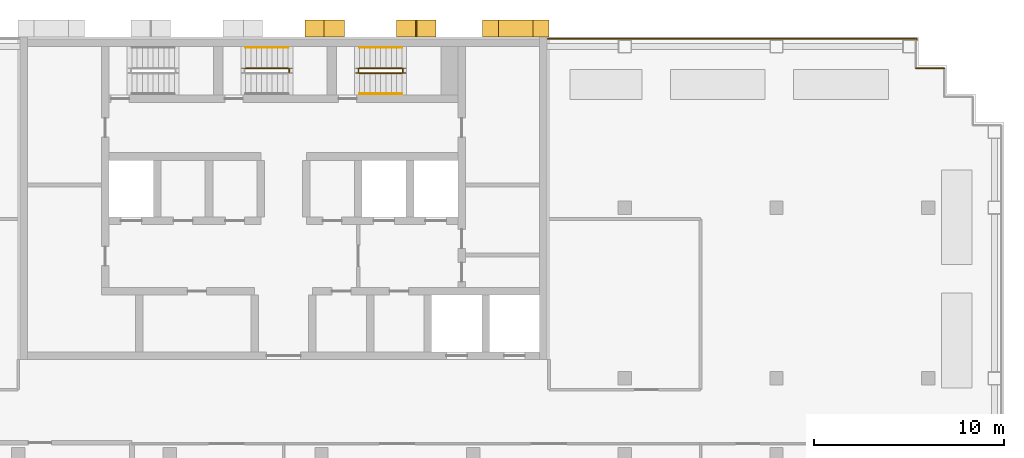
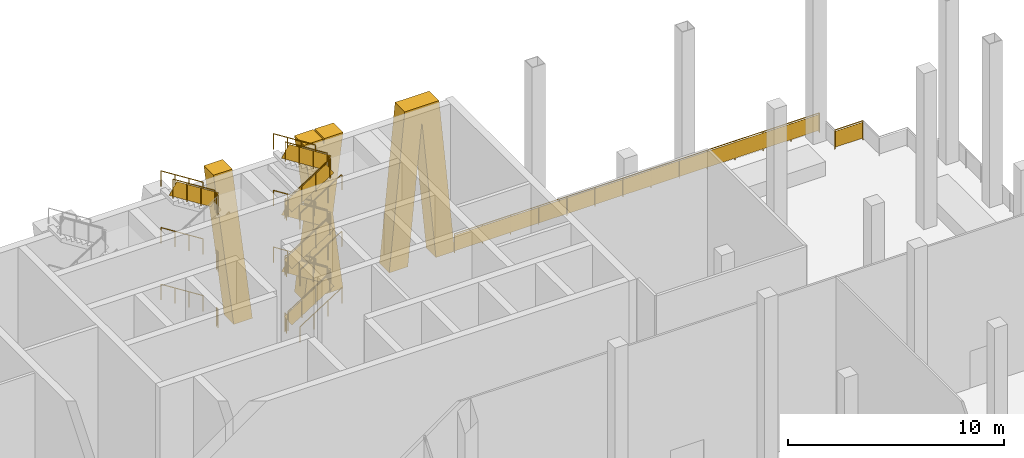
# One storey, part 8 of 9: 28 railings, 3 shading devices.
"""IFC4 building model written with IfcOpenShell, lengths in metres."""

from ifc_helpers import new_model, si_unit, direction, frame, origin, origin_2d, place, context, subcontext, project, spatial, polyline, rectangle, circle, outline, extrude, material, layer, layer_set, type_object, element, save


model = new_model("IFC4")

# Units and contexts
model_context = context("Model", 3, precision=1e-05, world=origin(), true_north=direction((0.0, 1.0)))
body_context = subcontext(model_context, "Body", "Model", "MODEL_VIEW")
ifc_project = project(units=[si_unit("LENGTHUNIT", "METRE"), si_unit("AREAUNIT", "SQUARE_METRE"), si_unit("VOLUMEUNIT", "CUBIC_METRE"), si_unit("PLANEANGLEUNIT", "RADIAN"), si_unit("MASSUNIT", "GRAM", prefix="KILO")], contexts=[model_context])

# Site, building, storey
site_placement = place(None, origin())
site = spatial("IfcSite", under=ifc_project, at=site_placement, CompositionType="ELEMENT")
building_placement = place(site_placement, origin())
building = spatial("IfcBuilding", under=site, at=building_placement, Name="Vidyagriha Tower", CompositionType="ELEMENT")
storey_placement = place(building_placement, frame((0.0, 0.0, 194.10009765625)))
storey = spatial("IfcBuildingStorey", under=building, at=storey_placement, Name="L51", CompositionType="ELEMENT", Elevation=194.10009765625)

# Shading devices
ifc_material_1 = material(Name="Precast concrete C40/50 with brick facing", Category="concrete")
ifc_layer_1 = layer(ifc_material_1, 1.0)
ifc_layer_set_1 = layer_set([ifc_layer_1], Name="Precast concrete C40/50 with brick facing")
shading_device_type_1 = type_object("IfcShadingDeviceType", Name="Brick-faced rear rib arm leaning 8 degrees", PredefinedType="USERDEFINED", material=ifc_layer_set_1)
shading_device_1_placement = place(storey_placement, frame((3.199951171875, 20.449951171875, 0.0), z_axis=(0.0, 0.0, 1.0), x_axis=(-1.0, 0.0, 0.0)))
element("IfcShadingDevice", 1, at=shading_device_1_placement, inside=storey, type_object=shading_device_type_1, Name="Rear rib arm L51 R08.3a", ObjectType="BLADE FIN", PredefinedType="USERDEFINED", context=body_context, shape_type="SweptSolid", body=[
    extrude(outline(polyline([(0.0, 0.0), (1.0, 0.0), (2.080078125, 8.7998046875), (1.080078125, 8.7998046875), (0.0, 0.0)])), frame((0.0, 0.449951171875, 0.0), z_axis=(0.0, -1.0, 0.0), x_axis=(1.0, 0.0, 0.0)), (0.0, 0.0, 1.0), 0.89990234375),
])
ifc_material_2 = material(Name="Precast concrete C40/50 with brick facing", Category="concrete")
ifc_layer_2 = layer(ifc_material_2, 1.0)
ifc_layer_set_2 = layer_set([ifc_layer_2], Name="Precast concrete C40/50 with brick facing")
shading_device_type_2 = type_object("IfcShadingDeviceType", Name="Brick-faced rear rib forking 8 degrees", PredefinedType="USERDEFINED", material=ifc_layer_set_2)
shading_device_2_placement = place(storey_placement, frame((14.0, 20.449951171875, 0.0), z_axis=(0.0, 0.0, 1.0), x_axis=(-1.0, 0.0, 0.0)))
element("IfcShadingDevice", 2, at=shading_device_2_placement, inside=storey, type_object=shading_device_type_2, Name="Rear rib fork L51 R08.1a", ObjectType="BLADE FIN", PredefinedType="USERDEFINED", context=body_context, shape_type="SweptSolid", body=[
    extrude(outline(polyline([(1.0, 0.0), (1.75, 7.919921875), (2.5, 0.0), (3.5, 0.0), (2.666748046875, 8.7998046875), (0.833251953125, 8.7998046875), (0.0, 0.0), (1.0, 0.0)])), frame((0.0, 0.449951171875, 0.0), z_axis=(0.0, -1.0, 0.0), x_axis=(1.0, 0.0, 0.0)), (0.0, 0.0, 1.0), 0.89990234375),
])
shading_device_3_placement = place(storey_placement, frame((8.0400390625, 20.449951171875, 0.0), z_axis=(0.0, 0.0, 1.0), x_axis=(-1.0, 0.0, 0.0)))
element("IfcShadingDevice", 3, at=shading_device_3_placement, inside=storey, type_object=shading_device_type_2, Name="Rear rib fork L51 R08.2a", ObjectType="BLADE FIN", PredefinedType="USERDEFINED", context=body_context, shape_type="SweptSolid", body=[
    extrude(outline(polyline([(1.0, 0.0), (1.0400390625, 0.32568359375), (1.080078125, 0.0), (2.080078125, 0.0), (1.5400390625, 4.39990234375), (2.080078125, 8.7998046875), (1.080078125, 8.7998046875), (1.0400390625, 8.47412109375), (1.0, 8.7998046875), (0.0, 8.7998046875), (0.5400390625, 4.39990234375), (0.0, 0.0), (1.0, 0.0)])), frame((0.0, 0.449951171875, 0.0), z_axis=(0.0, -1.0, 0.0), x_axis=(1.0, 0.0, 0.0)), (0.0, 0.0, 1.0), 0.89990234375),
])

# Railings
ifc_material_3 = material(Name="Steel ASTM A500 Grade C black painted", Category="steel")
railing_type_1 = type_object("IfcRailingType", Name="Gallery guard 1100", PredefinedType="GUARDRAIL", material=ifc_material_3)
railing_1_placement = place(storey_placement, frame((13.929931640625, 19.89990234375, 0.0)))
element("IfcRailing", 4, at=railing_1_placement, inside=storey, type_object=railing_type_1, Name="Gallery guard L51 2", PredefinedType="GUARDRAIL", context=body_context, shape_type="SweptSolid", body=[
    extrude(circle(Radius=0.02490234375, at=origin_2d()), frame((0.0, 0.0, 1.0751953125), z_axis=(1.0, 0.0, 0.0), x_axis=(0.0, 1.0, 0.0)), (0.0, 0.0, 1.0), 12.0),
    extrude(circle(Radius=0.02001953125, at=origin_2d()), origin(), (0.0, 0.0, 1.0), 1.050048828125),
    extrude(circle(Radius=0.02001953125, at=origin_2d()), frame((1.5, 0.0, 0.0)), (0.0, 0.0, 1.0), 1.050048828125),
    extrude(circle(Radius=0.02001953125, at=origin_2d()), frame((3.0, 0.0, 0.0)), (0.0, 0.0, 1.0), 1.050048828125),
    extrude(circle(Radius=0.02001953125, at=origin_2d()), frame((4.5, 0.0, 0.0)), (0.0, 0.0, 1.0), 1.050048828125),
    extrude(circle(Radius=0.02001953125, at=origin_2d()), frame((6.0, 0.0, 0.0)), (0.0, 0.0, 1.0), 1.050048828125),
    extrude(circle(Radius=0.02001953125, at=origin_2d()), frame((7.5, 0.0, 0.0)), (0.0, 0.0, 1.0), 1.050048828125),
    extrude(circle(Radius=0.02001953125, at=origin_2d()), frame((9.0, 0.0, 0.0)), (0.0, 0.0, 1.0), 1.050048828125),
    extrude(circle(Radius=0.02001953125, at=origin_2d()), frame((10.5, 0.0, 0.0)), (0.0, 0.0, 1.0), 1.050048828125),
    extrude(circle(Radius=0.02001953125, at=origin_2d()), frame((12.0, 0.0, 0.0)), (0.0, 0.0, 1.0), 1.050048828125),
    extrude(rectangle(XDim=0.010009765625, YDim=0.900146484375, at=origin_2d()), frame((0.0, 0.0, 0.550048828125), z_axis=(1.0, 0.0, 0.0), x_axis=(0.0, 1.0, 0.0)), (0.0, 0.0, 1.0), 12.0),
])
railing_2_placement = place(storey_placement, frame((25.929931640625, 19.89990234375, 0.0)))
element("IfcRailing", 5, at=railing_2_placement, inside=storey, type_object=railing_type_1, Name="Gallery guard L51 3", PredefinedType="GUARDRAIL", context=body_context, shape_type="SweptSolid", body=[
    extrude(circle(Radius=0.02490234375, at=origin_2d()), frame((0.0, 0.0, 1.0751953125), z_axis=(1.0, 0.0, 0.0), x_axis=(0.0, 1.0, 0.0)), (0.0, 0.0, 1.0), 7.469970703125),
    extrude(circle(Radius=0.02490234375, at=origin_2d()), frame((7.469970703125, 0.0, 1.0751953125), z_axis=(0.0, -1.0, 0.0), x_axis=(1.0, 0.0, 0.0)), (0.0, 0.0, 1.0), 0.0498046875),
    extrude(circle(Radius=0.02001953125, at=origin_2d()), origin(), (0.0, 0.0, 1.0), 1.050048828125),
    extrude(circle(Radius=0.02001953125, at=origin_2d()), frame((1.493896484375, 0.0, 0.0)), (0.0, 0.0, 1.0), 1.050048828125),
    extrude(circle(Radius=0.02001953125, at=origin_2d()), frame((2.988037109375, 0.0, 0.0)), (0.0, 0.0, 1.0), 1.050048828125),
    extrude(circle(Radius=0.02001953125, at=origin_2d()), frame((4.48193359375, 0.0, 0.0)), (0.0, 0.0, 1.0), 1.050048828125),
    extrude(circle(Radius=0.02001953125, at=origin_2d()), frame((5.97607421875, 0.0, 0.0)), (0.0, 0.0, 1.0), 1.050048828125),
    extrude(circle(Radius=0.02001953125, at=origin_2d()), frame((7.469970703125, 0.0, 0.0)), (0.0, 0.0, 1.0), 1.050048828125),
    extrude(circle(Radius=0.02001953125, at=origin_2d()), frame((7.469970703125, -0.0498046875, 0.0)), (0.0, 0.0, 1.0), 1.050048828125),
    extrude(rectangle(XDim=0.010009765625, YDim=0.900146484375, at=origin_2d()), frame((0.0, 0.0, 0.550048828125), z_axis=(1.0, 0.0, 0.0), x_axis=(0.0, 1.0, 0.0)), (0.0, 0.0, 1.0), 7.469970703125),
    extrude(rectangle(XDim=0.010009765625, YDim=0.900146484375, at=origin_2d()), frame((7.469970703125, 0.0, 0.550048828125), z_axis=(0.0, -1.0, 0.0), x_axis=(1.0, 0.0, 0.0)), (0.0, 0.0, 1.0), 0.0498046875),
])
ifc_material_4 = material(Name="Steel ASTM A500 Grade C", Category="steel")
railing_type_2 = type_object("IfcRailingType", Name="Stair guard 1100 mm, steel balustrade", PredefinedType="GUARDRAIL", material=ifc_material_4)
for number, where, name in (
    (6, (0.2900390625, 18.14990234375, 1.599853515625), "L51 ST2 stair guard 2"),
    (7, (0.2900390625, 18.14990234375, 4.7998046875), "L51 ST2 stair guard 6"),
    (8, (0.2900390625, 18.14990234375, 8.0), "L51 ST2 stair guard 10"),
):
    element("IfcRailing", number, at=place(storey_placement, frame(where)), inside=storey, type_object=railing_type_2, Name=name, PredefinedType="GUARDRAIL", context=body_context, shape_type="SweptSolid", body=[
        extrude(circle(Radius=0.02392578125, at=origin_2d()), frame((0.0, 0.0, 1.076171875), z_axis=(0.0, 1.0, 0.0), x_axis=(-1.0, 0.0, 0.0)), (0.0, 0.0, 1.0), 0.150146484375),
        extrude(circle(Radius=0.02099609375, at=origin_2d()), origin(), (0.0, 0.0, 1.0), 1.052001953125),
        extrude(circle(Radius=0.02099609375, at=origin_2d()), frame((0.0, 0.150146484375, 0.0)), (0.0, 0.0, 1.0), 1.052001953125),
        extrude(rectangle(XDim=0.010009765625, YDim=0.902099609375, at=origin_2d()), frame((0.0, 0.0, 0.551025390625), z_axis=(0.0, 1.0, 0.0), x_axis=(-1.0, 0.0, 0.0)), (0.0, 0.0, 1.0), 0.150146484375),
    ])
railing_3_placement = place(storey_placement, frame((0.239990234375, 18.35009765625, 8.177734375)))
element("IfcRailing", 9, at=railing_3_placement, inside=storey, type_object=railing_type_2, Name="L51 ST2 stair guard 11", PredefinedType="GUARDRAIL", context=body_context, shape_type="SweptSolid", body=[
    extrude(circle(Radius=0.02392578125, at=origin_2d()), frame((0.0, 0.0, 1.076171875), z_axis=(-0.8442293374, 0.0, 0.53598211339), x_axis=(0.0, -1.0, 0.0)), (0.0, 0.0, 1.0), 2.6533203125),
    extrude(circle(Radius=0.02099609375, at=origin_2d()), origin(), (0.0, 0.0, 1.0), 1.052001953125),
    extrude(circle(Radius=0.02099609375, at=origin_2d()), frame((-0.74658203125, 0.0, 0.47412109375)), (0.0, 0.0, 1.0), 1.052001953125),
    extrude(circle(Radius=0.02099609375, at=origin_2d()), frame((-1.493408203125, 0.0, 0.947998046875)), (0.0, 0.0, 1.0), 1.052001953125),
    extrude(circle(Radius=0.02099609375, at=origin_2d()), frame((-2.239990234375, 0.0, 1.422119140625)), (0.0, 0.0, 1.0), 1.052001953125),
    extrude(rectangle(XDim=0.010009765625, YDim=0.761474609375, at=origin_2d()), frame((0.0, 0.0, 0.551025390625), z_axis=(-0.8442293374, 0.0, 0.53598211339), x_axis=(0.0, -1.0, 0.0)), (0.0, 0.0, 1.0), 2.6533203125),
])
railing_4_placement = place(storey_placement, frame((4.0, 18.10009765625, 0.177734375)))
element("IfcRailing", 10, at=railing_4_placement, inside=storey, type_object=railing_type_2, Name="L51 ST3 stair guard 1", PredefinedType="GUARDRAIL", context=body_context, shape_type="SweptSolid", body=[
    extrude(circle(Radius=0.02392578125, at=origin_2d()), frame((0.0, 0.0, 1.076171875), z_axis=(0.8442293374, 0.0, 0.53598211339), x_axis=(0.0, 1.0, 0.0)), (0.0, 0.0, 1.0), 2.6533203125),
    extrude(circle(Radius=0.02099609375, at=origin_2d()), origin(), (0.0, 0.0, 1.0), 1.052001953125),
    extrude(circle(Radius=0.02099609375, at=origin_2d()), frame((0.74658203125, 0.0, 0.47412109375)), (0.0, 0.0, 1.0), 1.052001953125),
    extrude(circle(Radius=0.02099609375, at=origin_2d()), frame((1.493408203125, 0.0, 0.947998046875)), (0.0, 0.0, 1.0), 1.052001953125),
    extrude(circle(Radius=0.02099609375, at=origin_2d()), frame((2.239990234375, 0.0, 1.422119140625)), (0.0, 0.0, 1.0), 1.052001953125),
    extrude(rectangle(XDim=0.010009765625, YDim=0.761474609375, at=origin_2d()), frame((0.0, 0.0, 0.551025390625), z_axis=(0.8442293374, 0.0, 0.53598211339), x_axis=(0.0, 1.0, 0.0)), (0.0, 0.0, 1.0), 2.6533203125),
])
railing_5_placement = place(storey_placement, frame((6.2900390625, 18.14990234375, 1.599853515625)))
element("IfcRailing", 11, at=railing_5_placement, inside=storey, type_object=railing_type_2, Name="L51 ST3 stair guard 2", PredefinedType="GUARDRAIL", context=body_context, shape_type="SweptSolid", body=[
    extrude(circle(Radius=0.02392578125, at=origin_2d()), frame((0.0, 0.0, 1.076171875), z_axis=(0.0, 1.0, 0.0), x_axis=(-1.0, 0.0, 0.0)), (0.0, 0.0, 1.0), 0.150146484375),
    extrude(circle(Radius=0.02099609375, at=origin_2d()), origin(), (0.0, 0.0, 1.0), 1.052001953125),
    extrude(circle(Radius=0.02099609375, at=origin_2d()), frame((0.0, 0.150146484375, 0.0)), (0.0, 0.0, 1.0), 1.052001953125),
    extrude(rectangle(XDim=0.010009765625, YDim=0.902099609375, at=origin_2d()), frame((0.0, 0.0, 0.551025390625), z_axis=(0.0, 1.0, 0.0), x_axis=(-1.0, 0.0, 0.0)), (0.0, 0.0, 1.0), 0.150146484375),
])
railing_6_placement = place(storey_placement, frame((6.239990234375, 18.35009765625, 1.777587890625)))
element("IfcRailing", 12, at=railing_6_placement, inside=storey, type_object=railing_type_2, Name="L51 ST3 stair guard 3", PredefinedType="GUARDRAIL", context=body_context, shape_type="SweptSolid", body=[
    extrude(circle(Radius=0.02392578125, at=origin_2d()), frame((0.0, 0.0, 1.076171875), z_axis=(-0.84418770128, 0.0, 0.536047689118), x_axis=(0.0, -1.0, 0.0)), (0.0, 0.0, 1.0), 2.6533203125),
    extrude(circle(Radius=0.02099609375, at=origin_2d()), origin(), (0.0, 0.0, 1.0), 1.052001953125),
    extrude(circle(Radius=0.02099609375, at=origin_2d()), frame((-0.74658203125, 0.0, 0.47412109375)), (0.0, 0.0, 1.0), 1.052001953125),
    extrude(circle(Radius=0.02099609375, at=origin_2d()), frame((-1.493408203125, 0.0, 0.9482421875)), (0.0, 0.0, 1.0), 1.052001953125),
    extrude(circle(Radius=0.02099609375, at=origin_2d()), frame((-2.239990234375, 0.0, 1.42236328125)), (0.0, 0.0, 1.0), 1.052001953125),
    extrude(rectangle(XDim=0.010009765625, YDim=0.761474609375, at=origin_2d()), frame((0.0, 0.0, 0.551025390625), z_axis=(-0.84418770128, 0.0, 0.536047689118), x_axis=(0.0, -1.0, 0.0)), (0.0, 0.0, 1.0), 2.6533203125),
])
railing_7_placement = place(storey_placement, frame((3.949951171875, 18.14990234375, 3.199951171875)))
element("IfcRailing", 13, at=railing_7_placement, inside=storey, type_object=railing_type_2, Name="L51 ST3 stair guard 4", PredefinedType="GUARDRAIL", context=body_context, shape_type="SweptSolid", body=[
    extrude(circle(Radius=0.02392578125, at=origin_2d()), frame((0.0, 0.0, 1.076171875), z_axis=(0.0, 1.0, 0.0), x_axis=(-1.0, 0.0, 0.0)), (0.0, 0.0, 1.0), 0.150146484375),
    extrude(circle(Radius=0.02099609375, at=origin_2d()), origin(), (0.0, 0.0, 1.0), 1.052001953125),
    extrude(circle(Radius=0.02099609375, at=origin_2d()), frame((0.0, 0.150146484375, 0.0)), (0.0, 0.0, 1.0), 1.052001953125),
    extrude(rectangle(XDim=0.010009765625, YDim=0.902099609375, at=origin_2d()), frame((0.0, 0.0, 0.551025390625), z_axis=(0.0, 1.0, 0.0), x_axis=(-1.0, 0.0, 0.0)), (0.0, 0.0, 1.0), 0.150146484375),
])
railing_8_placement = place(storey_placement, frame((4.0, 18.10009765625, 3.377685546875)))
element("IfcRailing", 14, at=railing_8_placement, inside=storey, type_object=railing_type_2, Name="L51 ST3 stair guard 5", PredefinedType="GUARDRAIL", context=body_context, shape_type="SweptSolid", body=[
    extrude(circle(Radius=0.02392578125, at=origin_2d()), frame((0.0, 0.0, 1.076171875), z_axis=(0.8442293374, 0.0, 0.53598211339), x_axis=(0.0, 1.0, 0.0)), (0.0, 0.0, 1.0), 2.6533203125),
    extrude(circle(Radius=0.02099609375, at=origin_2d()), origin(), (0.0, 0.0, 1.0), 1.052001953125),
    extrude(circle(Radius=0.02099609375, at=origin_2d()), frame((0.74658203125, 0.0, 0.47412109375)), (0.0, 0.0, 1.0), 1.052001953125),
    extrude(circle(Radius=0.02099609375, at=origin_2d()), frame((1.493408203125, 0.0, 0.947998046875)), (0.0, 0.0, 1.0), 1.052001953125),
    extrude(circle(Radius=0.02099609375, at=origin_2d()), frame((2.239990234375, 0.0, 1.422119140625)), (0.0, 0.0, 1.0), 1.052001953125),
    extrude(rectangle(XDim=0.010009765625, YDim=0.761474609375, at=origin_2d()), frame((0.0, 0.0, 0.551025390625), z_axis=(0.8442293374, 0.0, 0.53598211339), x_axis=(0.0, 1.0, 0.0)), (0.0, 0.0, 1.0), 2.6533203125),
])
railing_9_placement = place(storey_placement, frame((6.2900390625, 18.14990234375, 4.7998046875)))
element("IfcRailing", 15, at=railing_9_placement, inside=storey, type_object=railing_type_2, Name="L51 ST3 stair guard 6", PredefinedType="GUARDRAIL", context=body_context, shape_type="SweptSolid", body=[
    extrude(circle(Radius=0.02392578125, at=origin_2d()), frame((0.0, 0.0, 1.076171875), z_axis=(0.0, 1.0, 0.0), x_axis=(-1.0, 0.0, 0.0)), (0.0, 0.0, 1.0), 0.150146484375),
    extrude(circle(Radius=0.02099609375, at=origin_2d()), origin(), (0.0, 0.0, 1.0), 1.052001953125),
    extrude(circle(Radius=0.02099609375, at=origin_2d()), frame((0.0, 0.150146484375, 0.0)), (0.0, 0.0, 1.0), 1.052001953125),
    extrude(rectangle(XDim=0.010009765625, YDim=0.902099609375, at=origin_2d()), frame((0.0, 0.0, 0.551025390625), z_axis=(0.0, 1.0, 0.0), x_axis=(-1.0, 0.0, 0.0)), (0.0, 0.0, 1.0), 0.150146484375),
])
railing_10_placement = place(storey_placement, frame((6.239990234375, 18.35009765625, 4.977783203125)))
element("IfcRailing", 16, at=railing_10_placement, inside=storey, type_object=railing_type_2, Name="L51 ST3 stair guard 7", PredefinedType="GUARDRAIL", context=body_context, shape_type="SweptSolid", body=[
    extrude(circle(Radius=0.02392578125, at=origin_2d()), frame((0.0, 0.0, 1.076171875), z_axis=(-0.8442293374, 0.0, 0.53598211339), x_axis=(0.0, -1.0, 0.0)), (0.0, 0.0, 1.0), 2.6533203125),
    extrude(circle(Radius=0.02099609375, at=origin_2d()), origin(), (0.0, 0.0, 1.0), 1.052001953125),
    extrude(circle(Radius=0.02099609375, at=origin_2d()), frame((-0.74658203125, 0.0, 0.47412109375)), (0.0, 0.0, 1.0), 1.052001953125),
    extrude(circle(Radius=0.02099609375, at=origin_2d()), frame((-1.493408203125, 0.0, 0.947998046875)), (0.0, 0.0, 1.0), 1.052001953125),
    extrude(circle(Radius=0.02099609375, at=origin_2d()), frame((-2.239990234375, 0.0, 1.422119140625)), (0.0, 0.0, 1.0), 1.052001953125),
    extrude(rectangle(XDim=0.010009765625, YDim=0.761474609375, at=origin_2d()), frame((0.0, 0.0, 0.551025390625), z_axis=(-0.8442293374, 0.0, 0.53598211339), x_axis=(0.0, -1.0, 0.0)), (0.0, 0.0, 1.0), 2.6533203125),
])
railing_11_placement = place(storey_placement, frame((3.949951171875, 18.14990234375, 6.39990234375)))
element("IfcRailing", 17, at=railing_11_placement, inside=storey, type_object=railing_type_2, Name="L51 ST3 stair guard 8", PredefinedType="GUARDRAIL", context=body_context, shape_type="SweptSolid", body=[
    extrude(circle(Radius=0.02392578125, at=origin_2d()), frame((0.0, 0.0, 1.076171875), z_axis=(0.0, 1.0, 0.0), x_axis=(-1.0, 0.0, 0.0)), (0.0, 0.0, 1.0), 0.150146484375),
    extrude(circle(Radius=0.02099609375, at=origin_2d()), origin(), (0.0, 0.0, 1.0), 1.052001953125),
    extrude(circle(Radius=0.02099609375, at=origin_2d()), frame((0.0, 0.150146484375, 0.0)), (0.0, 0.0, 1.0), 1.052001953125),
    extrude(rectangle(XDim=0.010009765625, YDim=0.902099609375, at=origin_2d()), frame((0.0, 0.0, 0.551025390625), z_axis=(0.0, 1.0, 0.0), x_axis=(-1.0, 0.0, 0.0)), (0.0, 0.0, 1.0), 0.150146484375),
])
railing_12_placement = place(storey_placement, frame((4.0, 18.10009765625, 6.57763671875)))
element("IfcRailing", 18, at=railing_12_placement, inside=storey, type_object=railing_type_2, Name="L51 ST3 stair guard 9", PredefinedType="GUARDRAIL", context=body_context, shape_type="SweptSolid", body=[
    extrude(circle(Radius=0.02392578125, at=origin_2d()), frame((0.0, 0.0, 1.076171875), z_axis=(0.84418770128, 0.0, 0.536047689118), x_axis=(0.0, 1.0, 0.0)), (0.0, 0.0, 1.0), 2.6533203125),
    extrude(circle(Radius=0.02099609375, at=origin_2d()), origin(), (0.0, 0.0, 1.0), 1.052001953125),
    extrude(circle(Radius=0.02099609375, at=origin_2d()), frame((0.74658203125, 0.0, 0.47412109375)), (0.0, 0.0, 1.0), 1.052001953125),
    extrude(circle(Radius=0.02099609375, at=origin_2d()), frame((1.493408203125, 0.0, 0.9482421875)), (0.0, 0.0, 1.0), 1.052001953125),
    extrude(circle(Radius=0.02099609375, at=origin_2d()), frame((2.239990234375, 0.0, 1.42236328125)), (0.0, 0.0, 1.0), 1.052001953125),
    extrude(rectangle(XDim=0.010009765625, YDim=0.761474609375, at=origin_2d()), frame((0.0, 0.0, 0.551025390625), z_axis=(0.84418770128, 0.0, 0.536047689118), x_axis=(0.0, 1.0, 0.0)), (0.0, 0.0, 1.0), 2.6533203125),
])
railing_13_placement = place(storey_placement, frame((6.2900390625, 18.14990234375, 8.0)))
element("IfcRailing", 19, at=railing_13_placement, inside=storey, type_object=railing_type_2, Name="L51 ST3 stair guard 10", PredefinedType="GUARDRAIL", context=body_context, shape_type="SweptSolid", body=[
    extrude(circle(Radius=0.02392578125, at=origin_2d()), frame((0.0, 0.0, 1.076171875), z_axis=(0.0, 1.0, 0.0), x_axis=(-1.0, 0.0, 0.0)), (0.0, 0.0, 1.0), 0.150146484375),
    extrude(circle(Radius=0.02099609375, at=origin_2d()), origin(), (0.0, 0.0, 1.0), 1.052001953125),
    extrude(circle(Radius=0.02099609375, at=origin_2d()), frame((0.0, 0.150146484375, 0.0)), (0.0, 0.0, 1.0), 1.052001953125),
    extrude(rectangle(XDim=0.010009765625, YDim=0.902099609375, at=origin_2d()), frame((0.0, 0.0, 0.551025390625), z_axis=(0.0, 1.0, 0.0), x_axis=(-1.0, 0.0, 0.0)), (0.0, 0.0, 1.0), 0.150146484375),
])
railing_14_placement = place(storey_placement, frame((6.239990234375, 18.35009765625, 8.177734375)))
element("IfcRailing", 20, at=railing_14_placement, inside=storey, type_object=railing_type_2, Name="L51 ST3 stair guard 11", PredefinedType="GUARDRAIL", context=body_context, shape_type="SweptSolid", body=[
    extrude(circle(Radius=0.02392578125, at=origin_2d()), frame((0.0, 0.0, 1.076171875), z_axis=(-0.8442293374, 0.0, 0.53598211339), x_axis=(0.0, -1.0, 0.0)), (0.0, 0.0, 1.0), 2.6533203125),
    extrude(circle(Radius=0.02099609375, at=origin_2d()), origin(), (0.0, 0.0, 1.0), 1.052001953125),
    extrude(circle(Radius=0.02099609375, at=origin_2d()), frame((-0.74658203125, 0.0, 0.47412109375)), (0.0, 0.0, 1.0), 1.052001953125),
    extrude(circle(Radius=0.02099609375, at=origin_2d()), frame((-1.493408203125, 0.0, 0.947998046875)), (0.0, 0.0, 1.0), 1.052001953125),
    extrude(circle(Radius=0.02099609375, at=origin_2d()), frame((-2.239990234375, 0.0, 1.422119140625)), (0.0, 0.0, 1.0), 1.052001953125),
    extrude(rectangle(XDim=0.010009765625, YDim=0.761474609375, at=origin_2d()), frame((0.0, 0.0, 0.551025390625), z_axis=(-0.8442293374, 0.0, 0.53598211339), x_axis=(0.0, -1.0, 0.0)), (0.0, 0.0, 1.0), 2.6533203125),
])
railing_15_placement = place(storey_placement, frame((3.949951171875, 18.14990234375, 0.0)))
element("IfcRailing", 21, at=railing_15_placement, inside=storey, type_object=railing_type_2, Name="L51 ST3 stair guard 12", PredefinedType="GUARDRAIL", context=body_context, shape_type="SweptSolid", body=[
    extrude(circle(Radius=0.02392578125, at=origin_2d()), frame((0.0, 0.0, 1.076171875), z_axis=(0.0, 1.0, 0.0), x_axis=(-1.0, 0.0, 0.0)), (0.0, 0.0, 1.0), 0.150146484375),
    extrude(circle(Radius=0.02099609375, at=origin_2d()), origin(), (0.0, 0.0, 1.0), 1.052001953125),
    extrude(circle(Radius=0.02099609375, at=origin_2d()), frame((0.0, 0.150146484375, 0.0)), (0.0, 0.0, 1.0), 1.052001953125),
    extrude(rectangle(XDim=0.010009765625, YDim=0.902099609375, at=origin_2d()), frame((0.0, 0.0, 0.551025390625), z_axis=(0.0, 1.0, 0.0), x_axis=(-1.0, 0.0, 0.0)), (0.0, 0.0, 1.0), 0.150146484375),
])
ifc_material_5 = material(Name="Steel ASTM A500 Grade C", Category="steel")
railing_type_3 = type_object("IfcRailingType", Name="Stair handrail 900 mm, steel", PredefinedType="HANDRAIL", material=ifc_material_5)
railing_16_placement = place(storey_placement, frame((0.239990234375, 19.449951171875, 1.777587890625)))
element("IfcRailing", 22, at=railing_16_placement, inside=storey, type_object=railing_type_3, Name="L51 ST2 stair handrail 2", PredefinedType="HANDRAIL", context=body_context, shape_type="SweptSolid", body=[
    extrude(circle(Radius=0.02392578125, at=origin_2d()), frame((0.0, 0.0, 0.8759765625), z_axis=(-0.84418770128, 0.0, 0.536047689118), x_axis=(0.0, -1.0, 0.0)), (0.0, 0.0, 1.0), 2.6533203125),
    extrude(circle(Radius=0.02099609375, at=origin_2d()), origin(), (0.0, 0.0, 1.0), 0.851806640625),
    extrude(circle(Radius=0.02099609375, at=origin_2d()), frame((-0.74658203125, 0.0, 0.47412109375)), (0.0, 0.0, 1.0), 0.851806640625),
    extrude(circle(Radius=0.02099609375, at=origin_2d()), frame((-1.493408203125, 0.0, 0.9482421875)), (0.0, 0.0, 1.0), 0.851806640625),
    extrude(circle(Radius=0.02099609375, at=origin_2d()), frame((-2.239990234375, 0.0, 1.42236328125)), (0.0, 0.0, 1.0), 0.851806640625),
])
for number, where, name in (
    (23, (0.239990234375, 19.449951171875, 4.977783203125), "L51 ST2 stair handrail 4"),
    (24, (0.239990234375, 19.449951171875, 8.177734375), "L51 ST2 stair handrail 6"),
):
    element("IfcRailing", number, at=place(storey_placement, frame(where)), inside=storey, type_object=railing_type_3, Name=name, PredefinedType="HANDRAIL", context=body_context, shape_type="SweptSolid", body=[
        extrude(circle(Radius=0.02392578125, at=origin_2d()), frame((0.0, 0.0, 0.8759765625), z_axis=(-0.8442293374, 0.0, 0.53598211339), x_axis=(0.0, -1.0, 0.0)), (0.0, 0.0, 1.0), 2.6533203125),
        extrude(circle(Radius=0.02099609375, at=origin_2d()), origin(), (0.0, 0.0, 1.0), 0.851806640625),
        extrude(circle(Radius=0.02099609375, at=origin_2d()), frame((-0.74658203125, 0.0, 0.47412109375)), (0.0, 0.0, 1.0), 0.851806640625),
        extrude(circle(Radius=0.02099609375, at=origin_2d()), frame((-1.493408203125, 0.0, 0.947998046875)), (0.0, 0.0, 1.0), 0.851806640625),
        extrude(circle(Radius=0.02099609375, at=origin_2d()), frame((-2.239990234375, 0.0, 1.422119140625)), (0.0, 0.0, 1.0), 0.851806640625),
    ])
railing_17_placement = place(storey_placement, frame((4.0, 17.0, 0.177734375)))
element("IfcRailing", 25, at=railing_17_placement, inside=storey, type_object=railing_type_3, Name="L51 ST3 stair handrail 1", PredefinedType="HANDRAIL", context=body_context, shape_type="SweptSolid", body=[
    extrude(circle(Radius=0.02392578125, at=origin_2d()), frame((0.0, 0.0, 0.8759765625), z_axis=(0.8442293374, 0.0, 0.53598211339), x_axis=(0.0, 1.0, 0.0)), (0.0, 0.0, 1.0), 2.6533203125),
    extrude(circle(Radius=0.02099609375, at=origin_2d()), origin(), (0.0, 0.0, 1.0), 0.851806640625),
    extrude(circle(Radius=0.02099609375, at=origin_2d()), frame((0.74658203125, 0.0, 0.47412109375)), (0.0, 0.0, 1.0), 0.851806640625),
    extrude(circle(Radius=0.02099609375, at=origin_2d()), frame((1.493408203125, 0.0, 0.947998046875)), (0.0, 0.0, 1.0), 0.851806640625),
    extrude(circle(Radius=0.02099609375, at=origin_2d()), frame((2.239990234375, 0.0, 1.422119140625)), (0.0, 0.0, 1.0), 0.851806640625),
])
railing_18_placement = place(storey_placement, frame((6.239990234375, 19.449951171875, 1.777587890625)))
element("IfcRailing", 26, at=railing_18_placement, inside=storey, type_object=railing_type_3, Name="L51 ST3 stair handrail 2", PredefinedType="HANDRAIL", context=body_context, shape_type="SweptSolid", body=[
    extrude(circle(Radius=0.02392578125, at=origin_2d()), frame((0.0, 0.0, 0.8759765625), z_axis=(-0.84418770128, 0.0, 0.536047689118), x_axis=(0.0, -1.0, 0.0)), (0.0, 0.0, 1.0), 2.6533203125),
    extrude(circle(Radius=0.02099609375, at=origin_2d()), origin(), (0.0, 0.0, 1.0), 0.851806640625),
    extrude(circle(Radius=0.02099609375, at=origin_2d()), frame((-0.74658203125, 0.0, 0.47412109375)), (0.0, 0.0, 1.0), 0.851806640625),
    extrude(circle(Radius=0.02099609375, at=origin_2d()), frame((-1.493408203125, 0.0, 0.9482421875)), (0.0, 0.0, 1.0), 0.851806640625),
    extrude(circle(Radius=0.02099609375, at=origin_2d()), frame((-2.239990234375, 0.0, 1.42236328125)), (0.0, 0.0, 1.0), 0.851806640625),
])
railing_19_placement = place(storey_placement, frame((4.0, 17.0, 3.377685546875)))
element("IfcRailing", 27, at=railing_19_placement, inside=storey, type_object=railing_type_3, Name="L51 ST3 stair handrail 3", PredefinedType="HANDRAIL", context=body_context, shape_type="SweptSolid", body=[
    extrude(circle(Radius=0.02392578125, at=origin_2d()), frame((0.0, 0.0, 0.8759765625), z_axis=(0.8442293374, 0.0, 0.53598211339), x_axis=(0.0, 1.0, 0.0)), (0.0, 0.0, 1.0), 2.6533203125),
    extrude(circle(Radius=0.02099609375, at=origin_2d()), origin(), (0.0, 0.0, 1.0), 0.851806640625),
    extrude(circle(Radius=0.02099609375, at=origin_2d()), frame((0.74658203125, 0.0, 0.47412109375)), (0.0, 0.0, 1.0), 0.851806640625),
    extrude(circle(Radius=0.02099609375, at=origin_2d()), frame((1.493408203125, 0.0, 0.947998046875)), (0.0, 0.0, 1.0), 0.851806640625),
    extrude(circle(Radius=0.02099609375, at=origin_2d()), frame((2.239990234375, 0.0, 1.422119140625)), (0.0, 0.0, 1.0), 0.851806640625),
])
railing_20_placement = place(storey_placement, frame((6.239990234375, 19.449951171875, 4.977783203125)))
element("IfcRailing", 28, at=railing_20_placement, inside=storey, type_object=railing_type_3, Name="L51 ST3 stair handrail 4", PredefinedType="HANDRAIL", context=body_context, shape_type="SweptSolid", body=[
    extrude(circle(Radius=0.02392578125, at=origin_2d()), frame((0.0, 0.0, 0.8759765625), z_axis=(-0.8442293374, 0.0, 0.53598211339), x_axis=(0.0, -1.0, 0.0)), (0.0, 0.0, 1.0), 2.6533203125),
    extrude(circle(Radius=0.02099609375, at=origin_2d()), origin(), (0.0, 0.0, 1.0), 0.851806640625),
    extrude(circle(Radius=0.02099609375, at=origin_2d()), frame((-0.74658203125, 0.0, 0.47412109375)), (0.0, 0.0, 1.0), 0.851806640625),
    extrude(circle(Radius=0.02099609375, at=origin_2d()), frame((-1.493408203125, 0.0, 0.947998046875)), (0.0, 0.0, 1.0), 0.851806640625),
    extrude(circle(Radius=0.02099609375, at=origin_2d()), frame((-2.239990234375, 0.0, 1.422119140625)), (0.0, 0.0, 1.0), 0.851806640625),
])
railing_21_placement = place(storey_placement, frame((4.0, 17.0, 6.57763671875)))
element("IfcRailing", 29, at=railing_21_placement, inside=storey, type_object=railing_type_3, Name="L51 ST3 stair handrail 5", PredefinedType="HANDRAIL", context=body_context, shape_type="SweptSolid", body=[
    extrude(circle(Radius=0.02392578125, at=origin_2d()), frame((0.0, 0.0, 0.8759765625), z_axis=(0.84418770128, 0.0, 0.536047689118), x_axis=(0.0, 1.0, 0.0)), (0.0, 0.0, 1.0), 2.6533203125),
    extrude(circle(Radius=0.02099609375, at=origin_2d()), origin(), (0.0, 0.0, 1.0), 0.851806640625),
    extrude(circle(Radius=0.02099609375, at=origin_2d()), frame((0.74658203125, 0.0, 0.47412109375)), (0.0, 0.0, 1.0), 0.851806640625),
    extrude(circle(Radius=0.02099609375, at=origin_2d()), frame((1.493408203125, 0.0, 0.9482421875)), (0.0, 0.0, 1.0), 0.851806640625),
    extrude(circle(Radius=0.02099609375, at=origin_2d()), frame((2.239990234375, 0.0, 1.42236328125)), (0.0, 0.0, 1.0), 0.851806640625),
])
railing_22_placement = place(storey_placement, frame((6.239990234375, 19.449951171875, 8.177734375)))
element("IfcRailing", 30, at=railing_22_placement, inside=storey, type_object=railing_type_3, Name="L51 ST3 stair handrail 6", PredefinedType="HANDRAIL", context=body_context, shape_type="SweptSolid", body=[
    extrude(circle(Radius=0.02392578125, at=origin_2d()), frame((0.0, 0.0, 0.8759765625), z_axis=(-0.8442293374, 0.0, 0.53598211339), x_axis=(0.0, -1.0, 0.0)), (0.0, 0.0, 1.0), 2.6533203125),
    extrude(circle(Radius=0.02099609375, at=origin_2d()), origin(), (0.0, 0.0, 1.0), 0.851806640625),
    extrude(circle(Radius=0.02099609375, at=origin_2d()), frame((-0.74658203125, 0.0, 0.47412109375)), (0.0, 0.0, 1.0), 0.851806640625),
    extrude(circle(Radius=0.02099609375, at=origin_2d()), frame((-1.493408203125, 0.0, 0.947998046875)), (0.0, 0.0, 1.0), 0.851806640625),
    extrude(circle(Radius=0.02099609375, at=origin_2d()), frame((-2.239990234375, 0.0, 1.422119140625)), (0.0, 0.0, 1.0), 0.851806640625),
])
ifc_material_6 = material(Name="Steel ASTM A500 Grade C black painted", Category="steel")
railing_type_4 = type_object("IfcRailingType", Name="Wind floor guard 1100", PredefinedType="GUARDRAIL", material=ifc_material_6)
railing_23_placement = place(storey_placement, frame((33.35009765625, 18.35009765625, 0.0)))
element("IfcRailing", 31, at=railing_23_placement, inside=storey, type_object=railing_type_4, Name="Wind floor guard L51 2", PredefinedType="GUARDRAIL", context=body_context, shape_type="SweptSolid", body=[
    extrude(circle(Radius=0.02490234375, at=origin_2d()), frame((0.0, 0.0, 1.0751953125), z_axis=(1.0, 0.0, 0.0), x_axis=(0.0, 1.0, 0.0)), (0.0, 0.0, 1.0), 1.5),
    extrude(circle(Radius=0.02001953125, at=origin_2d()), origin(), (0.0, 0.0, 1.0), 1.050048828125),
    extrude(circle(Radius=0.02001953125, at=origin_2d()), frame((1.5, 0.0, 0.0)), (0.0, 0.0, 1.0), 1.050048828125),
    extrude(rectangle(XDim=0.010009765625, YDim=0.900146484375, at=origin_2d()), frame((0.0, 0.0, 0.550048828125), z_axis=(1.0, 0.0, 0.0), x_axis=(0.0, 1.0, 0.0)), (0.0, 0.0, 1.0), 1.5),
])

save(model, "model.ifc")
